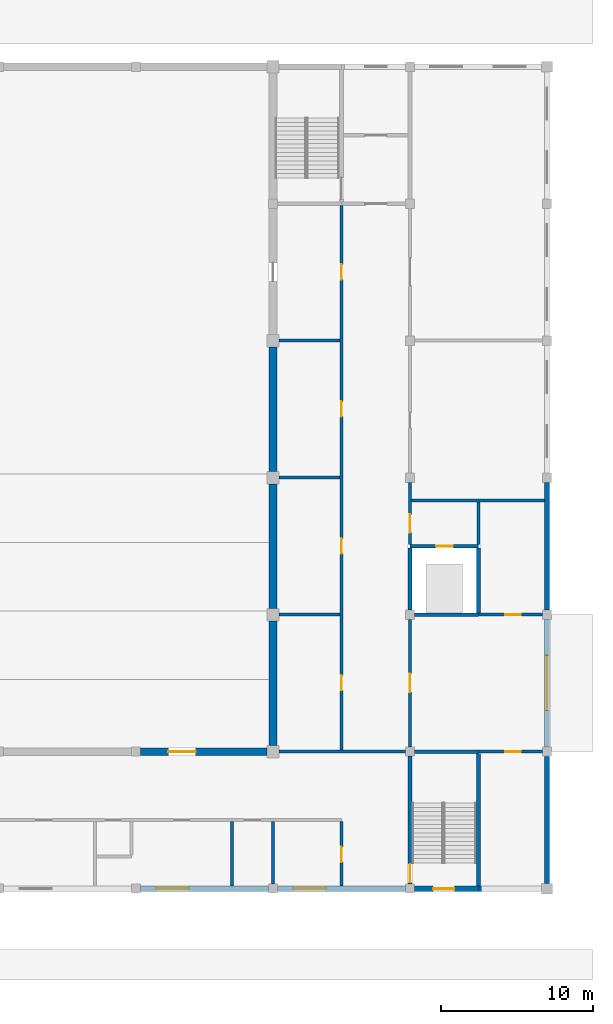
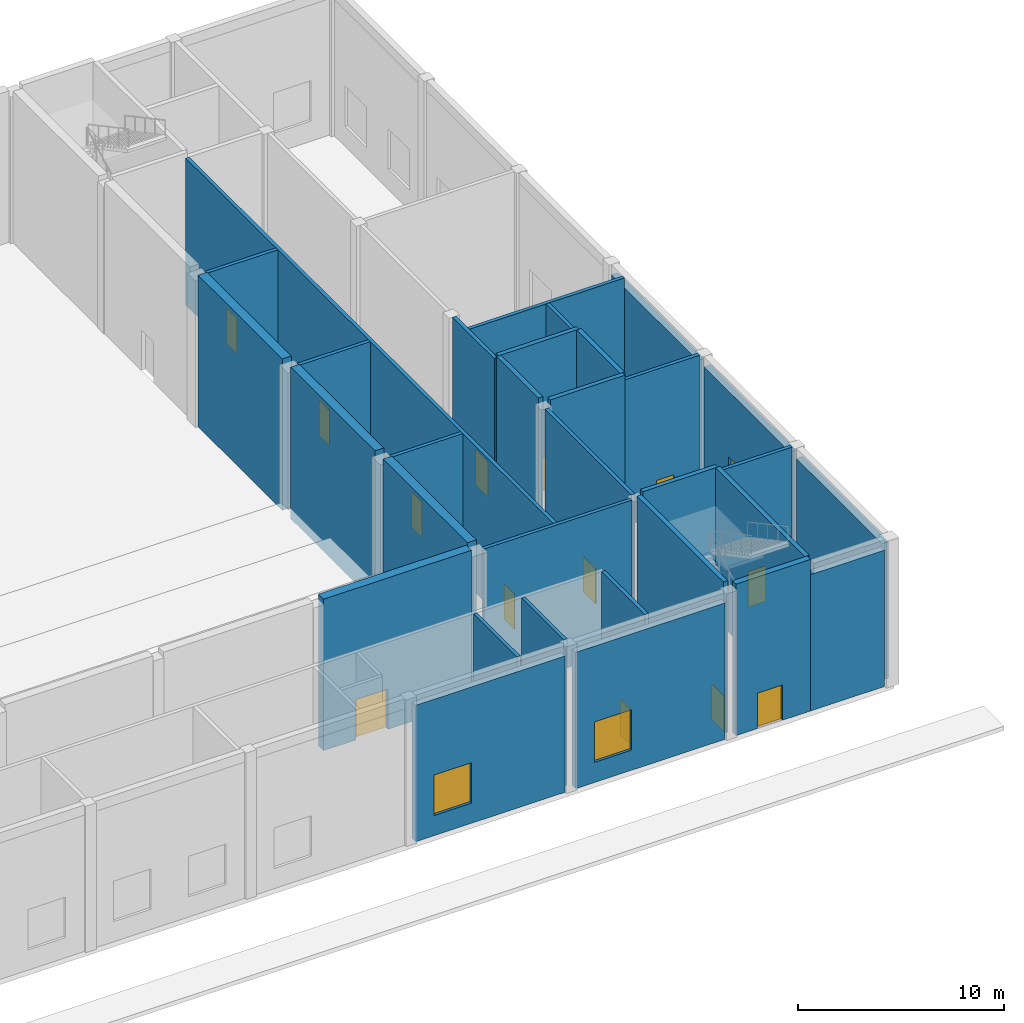
# One storey, part 33 of 44: 32 walls, 14 doors, 2 windows, 16 openings.
"""IFC4 building model written with IfcOpenShell, lengths in metres."""

from ifc_helpers import new_model, si_unit, direction, frame, frame_2d, origin, place, context, subcontext, project, spatial, rectangle, extrude, material, layer, layer_set, type_object, element, fill, save


model = new_model("IFC4")

# Units and contexts
model_context = context("Model", 3, precision=1e-05, world=origin(), true_north=direction((0.0, 1.0)))
body_context = subcontext(model_context, "Body", "Model", "MODEL_VIEW")
ifc_project = project(units=[si_unit("LENGTHUNIT", "METRE"), si_unit("AREAUNIT", "SQUARE_METRE"), si_unit("VOLUMEUNIT", "CUBIC_METRE"), si_unit("PLANEANGLEUNIT", "RADIAN"), si_unit("MASSUNIT", "GRAM", prefix="KILO")], contexts=[model_context])

# Site, building, storey
site_placement = place(None, origin())
site = spatial("IfcSite", under=ifc_project, at=site_placement, CompositionType="ELEMENT")
building_placement = place(site_placement, origin())
building = spatial("IfcBuilding", under=site, at=building_placement, Name="Firuza Court", CompositionType="ELEMENT")
storey_placement = place(building_placement, origin())
storey = spatial("IfcBuildingStorey", under=building, at=storey_placement, Name="L00", CompositionType="ELEMENT", Elevation=0.0)

# Wall
ifc_material_1 = material(Name="Blockwork", Category="masonry")
ifc_layer_1 = layer(ifc_material_1, 0.199951171875)
ifc_layer_set_1 = layer_set([ifc_layer_1], Name="Blockwork")
wall_type_1 = type_object("IfcWallType", Name="HALL PARTITION 200", PredefinedType="STANDARD", material=ifc_layer_set_1)
wall_1_placement = place(storey_placement, frame((135.39990234375, 0.0, 0.0), z_axis=(0.0, 0.0, 1.0), x_axis=(1.0, 0.0, 0.0)))
element("IfcWall", 1, at=wall_1_placement, inside=storey, type_object=wall_type_1, Name="Wall L00.18", PredefinedType="STANDARD", context=body_context, shape_type="SweptSolid", body=[
    extrude(rectangle(XDim=8.300048828125, YDim=0.199951171875, at=frame_2d((4.14990234375, 0.0))), origin(), (0.0, 0.0, 1.0), 8.699951171875),
])

# Wall, opening, door
wall_2_placement = place(storey_placement, frame((148.5, 0.0, 0.0), z_axis=(0.0, 0.0, 1.0), x_axis=(1.0, 0.0, 0.0)))
wall_2 = element("IfcWall", 2, at=wall_2_placement, inside=storey, type_object=wall_type_1, Name="Wall L00.20", PredefinedType="STANDARD", context=body_context, shape_type="SweptSolid", body=[
    extrude(rectangle(XDim=4.199951171875, YDim=0.199951171875, at=frame_2d((2.10009765625, 0.0))), origin(), (0.0, 0.0, 1.0), 8.699951171875),
])
opening_1_placement = place(wall_2_placement, frame((1.77001953125, 0.0, 0.0)))
opening_1 = element("IfcOpeningElement", 3, at=opening_1_placement, cuts=wall_2, Name="Opening H052", PredefinedType="OPENING", context=body_context, shape_type="SweptSolid", body=[
    extrude(rectangle(XDim=1.0, YDim=2.10009765625, at=frame_2d((0.5, 1.050048828125))), frame((0.0, 0.11181640625, 0.0), z_axis=(0.0, -1.0, 0.0), x_axis=(1.0, 0.0, 0.0)), (0.0, 0.0, 1.0), 0.223876953125),
])
ifc_material_2 = material(Name="Timber", Category="wood")
door_type_1 = type_object("IfcDoorType", Name="HALL DOOR 1000X2100", OperationType="SINGLE_SWING_LEFT", PredefinedType="DOOR", material=ifc_material_2)
door_1_placement = place(opening_1_placement, frame((1.0, 0.0, 0.0), z_axis=(0.0, 0.0, 1.0), x_axis=(-1.0, 0.0, 0.0)))
door_1 = element("IfcDoor", 4, at=door_1_placement, inside=storey, type_object=door_type_1, Name="Door Refuse store", OperationType="SINGLE_SWING_LEFT", OverallHeight=2.10009765625, OverallWidth=1.0, PredefinedType="DOOR", context=body_context, shape_type="SweptSolid", body=[
    extrude(rectangle(XDim=1.0, YDim=2.10009765625, at=frame_2d((0.5, 1.050048828125))), frame((0.0, 0.02490234375, 0.0), z_axis=(0.0, -1.0, 0.0), x_axis=(1.0, 0.0, 0.0)), (0.0, 0.0, 1.0), 0.050048828125),
])
fill(opening_1, door_1)

# Wall
wall_3_placement = place(storey_placement, frame((135.39990234375, 9.0, 0.0), z_axis=(0.0, 0.0, 1.0), x_axis=(1.0, 0.0, 0.0)))
element("IfcWall", 5, at=wall_3_placement, inside=storey, type_object=wall_type_1, Name="Wall L00.21", PredefinedType="STANDARD", context=body_context, shape_type="SweptSolid", body=[
    extrude(rectangle(XDim=4.0, YDim=0.199951171875, at=frame_2d((2.0, 0.0))), origin(), (0.0, 0.0, 1.0), 8.699951171875),
])

# Wall, opening, door
wall_4_placement = place(storey_placement, frame((148.5, 9.0, 0.0), z_axis=(0.0, 0.0, 1.0), x_axis=(1.0, 0.0, 0.0)))
wall_4 = element("IfcWall", 6, at=wall_4_placement, inside=storey, type_object=wall_type_1, Name="Wall L00.23", PredefinedType="STANDARD", context=body_context, shape_type="SweptSolid", body=[
    extrude(rectangle(XDim=4.199951171875, YDim=0.199951171875, at=frame_2d((2.10009765625, 0.0))), origin(), (0.0, 0.0, 1.0), 8.699951171875),
])
opening_2_placement = place(wall_4_placement, frame((1.77001953125, 0.0, 0.0)))
opening_2 = element("IfcOpeningElement", 7, at=opening_2_placement, cuts=wall_4, Name="Opening H053", PredefinedType="OPENING", context=body_context, shape_type="SweptSolid", body=[
    extrude(rectangle(XDim=1.0, YDim=2.10009765625, at=frame_2d((0.5, 1.050048828125))), frame((0.0, 0.11181640625, 0.0), z_axis=(0.0, -1.0, 0.0), x_axis=(1.0, 0.0, 0.0)), (0.0, 0.0, 1.0), 0.223876953125),
])
door_2_placement = place(opening_2_placement, origin())
door_2 = element("IfcDoor", 8, at=door_2_placement, inside=storey, type_object=door_type_1, Name="Door Scenery store", OperationType="SINGLE_SWING_RIGHT", OverallHeight=2.10009765625, OverallWidth=1.0, PredefinedType="DOOR", context=body_context, shape_type="SweptSolid", body=[
    extrude(rectangle(XDim=1.0, YDim=2.10009765625, at=frame_2d((0.5, 1.050048828125))), frame((0.0, 0.02490234375, 0.0), z_axis=(0.0, -1.0, 0.0), x_axis=(1.0, 0.0, 0.0)), (0.0, 0.0, 1.0), 0.050048828125),
])
fill(opening_2, door_2)

# Walls
wall_5_placement = place(storey_placement, frame((144.10009765625, 16.5, 0.0), z_axis=(0.0, 0.0, 1.0), x_axis=(1.0, 0.0, 0.0)))
element("IfcWall", 9, at=wall_5_placement, inside=storey, type_object=wall_type_1, Name="Wall L00.25", PredefinedType="STANDARD", context=body_context, shape_type="SweptSolid", body=[
    extrude(rectangle(XDim=8.724853515625, YDim=0.199951171875, at=frame_2d((4.3623046875, 0.0))), origin(), (0.0, 0.0, 1.0), 8.699951171875),
])
for number, where, z_axis, x_axis, name in (
    (10, (135.39990234375, 18.0, 0.0), (0.0, 0.0, 1.0), (1.0, 0.0, 0.0), "Wall L00.27"),
    (11, (135.39990234375, 27.0, 0.0), (0.0, 0.0, 1.0), (1.0, 0.0, 0.0), "Wall L00.35"),
):
    element("IfcWall", number, at=place(storey_placement, frame(where, z_axis=z_axis, x_axis=x_axis)), inside=storey, type_object=wall_type_1, Name=name, PredefinedType="STANDARD", context=body_context, shape_type="SweptSolid", body=[
        extrude(rectangle(XDim=4.0, YDim=0.199951171875, at=frame_2d((2.0, 0.0))), origin(), (0.0, 0.0, 1.0), 8.699951171875),
    ])
wall_6_placement = place(storey_placement, frame((132.300048828125, -8.824951171875, 0.0), z_axis=(0.0, 0.0, 1.0), x_axis=(0.0, 1.0, 0.0)))
element("IfcWall", 12, at=wall_6_placement, inside=storey, type_object=wall_type_1, Name="Wall L00.67", PredefinedType="STANDARD", context=body_context, shape_type="SweptSolid", body=[
    extrude(rectangle(XDim=4.224853515625, YDim=0.199951171875, at=frame_2d((2.1123046875, 0.0))), origin(), (0.0, 0.0, 1.0), 8.699951171875),
])
wall_7_placement = place(storey_placement, frame((135.0, -8.699951171875, 0.0), z_axis=(0.0, 0.0, 1.0), x_axis=(0.0, 1.0, 0.0)))
element("IfcWall", 13, at=wall_7_placement, inside=storey, type_object=wall_type_1, Name="Wall L00.68", PredefinedType="STANDARD", context=body_context, shape_type="SweptSolid", body=[
    extrude(rectangle(XDim=4.099853515625, YDim=0.199951171875, at=frame_2d((2.0498046875, 0.0))), origin(), (0.0, 0.0, 1.0), 8.699951171875),
])

# Wall, opening, door
wall_8_placement = place(storey_placement, frame((139.5, -8.824951171875, 0.0), z_axis=(0.0, 0.0, 1.0), x_axis=(0.0, 1.0, 0.0)))
wall_8 = element("IfcWall", 14, at=wall_8_placement, inside=storey, type_object=wall_type_1, Name="Wall L00.74", PredefinedType="STANDARD", context=body_context, shape_type="SweptSolid", body=[
    extrude(rectangle(XDim=4.224853515625, YDim=0.199951171875, at=frame_2d((2.1123046875, 0.0))), origin(), (0.0, 0.0, 1.0), 8.699951171875),
])
opening_3_placement = place(wall_8_placement, frame((1.570068359375, 0.0, 0.0)))
opening_3 = element("IfcOpeningElement", 15, at=opening_3_placement, cuts=wall_8, Name="Opening H040", PredefinedType="OPENING", context=body_context, shape_type="SweptSolid", body=[
    extrude(rectangle(XDim=1.0, YDim=2.10009765625, at=frame_2d((0.5, 1.050048828125))), frame((0.0, 0.11181640625, 0.0), z_axis=(0.0, -1.0, 0.0), x_axis=(1.0, 0.0, 0.0)), (0.0, 0.0, 1.0), 0.223876953125),
])
door_3_placement = place(opening_3_placement, frame((1.0, 0.0, 0.0), z_axis=(0.0, 0.0, 1.0), x_axis=(-1.0, 0.0, 0.0)))
door_3 = element("IfcDoor", 16, at=door_3_placement, inside=storey, type_object=door_type_1, Name="Door Stage door lobby", OperationType="SINGLE_SWING_RIGHT", OverallHeight=2.10009765625, OverallWidth=1.0, PredefinedType="DOOR", context=body_context, shape_type="SweptSolid", body=[
    extrude(rectangle(XDim=1.0, YDim=2.10009765625, at=frame_2d((0.5, 1.050048828125))), frame((0.0, 0.02490234375, 0.0), z_axis=(0.0, -1.0, 0.0), x_axis=(1.0, 0.0, 0.0)), (0.0, 0.0, 1.0), 0.050048828125),
])
fill(opening_3, door_3)

# Wall, openings, doors
wall_9_placement = place(storey_placement, frame((139.5, 0.10009765625, 0.0), z_axis=(0.0, 0.0, 1.0), x_axis=(0.0, 1.0, 0.0)))
wall_9 = element("IfcWall", 17, at=wall_9_placement, inside=storey, type_object=wall_type_1, Name="Wall L00.75", PredefinedType="STANDARD", context=body_context, shape_type="SweptSolid", body=[
    extrude(rectangle(XDim=35.77490234375, YDim=0.199951171875, at=frame_2d((17.887451171875, 0.0))), origin(), (0.0, 0.0, 1.0), 8.699951171875),
])
opening_4_placement = place(wall_9_placement, frame((30.919921875, 0.0, 0.0)))
opening_4 = element("IfcOpeningElement", 18, at=opening_4_placement, cuts=wall_9, Name="Opening H048", PredefinedType="OPENING", context=body_context, shape_type="SweptSolid", body=[
    extrude(rectangle(XDim=1.0, YDim=2.10009765625, at=frame_2d((0.5, 1.050048828125))), frame((0.0, 0.11181640625, 0.0), z_axis=(0.0, -1.0, 0.0), x_axis=(1.0, 0.0, 0.0)), (0.0, 0.0, 1.0), 0.223876953125),
])
opening_5_placement = place(wall_9_placement, frame((3.919921875, 0.0, 0.0)))
opening_5 = element("IfcOpeningElement", 19, at=opening_5_placement, cuts=wall_9, Name="Opening H049", PredefinedType="OPENING", context=body_context, shape_type="SweptSolid", body=[
    extrude(rectangle(XDim=1.0, YDim=2.10009765625, at=frame_2d((0.5, 1.050048828125))), frame((0.0, 0.11181640625, 0.0), z_axis=(0.0, -1.0, 0.0), x_axis=(1.0, 0.0, 0.0)), (0.0, 0.0, 1.0), 0.223876953125),
])
opening_6_placement = place(wall_9_placement, frame((12.919921875, 0.0, 0.0)))
opening_6 = element("IfcOpeningElement", 20, at=opening_6_placement, cuts=wall_9, Name="Opening H050", PredefinedType="OPENING", context=body_context, shape_type="SweptSolid", body=[
    extrude(rectangle(XDim=1.0, YDim=2.10009765625, at=frame_2d((0.5, 1.050048828125))), frame((0.0, 0.11181640625, 0.0), z_axis=(0.0, -1.0, 0.0), x_axis=(1.0, 0.0, 0.0)), (0.0, 0.0, 1.0), 0.223876953125),
])
opening_7_placement = place(wall_9_placement, frame((21.919921875, 0.0, 0.0)))
opening_7 = element("IfcOpeningElement", 21, at=opening_7_placement, cuts=wall_9, Name="Opening H051", PredefinedType="OPENING", context=body_context, shape_type="SweptSolid", body=[
    extrude(rectangle(XDim=1.0, YDim=2.10009765625, at=frame_2d((0.5, 1.050048828125))), frame((0.0, 0.11181640625, 0.0), z_axis=(0.0, -1.0, 0.0), x_axis=(1.0, 0.0, 0.0)), (0.0, 0.0, 1.0), 0.223876953125),
])
door_4_placement = place(opening_4_placement, origin())
door_4 = element("IfcDoor", 22, at=door_4_placement, inside=storey, type_object=door_type_1, Name="Door Stage right wing", OperationType="SINGLE_SWING_LEFT", OverallHeight=2.10009765625, OverallWidth=1.0, PredefinedType="DOOR", context=body_context, shape_type="SweptSolid", body=[
    extrude(rectangle(XDim=1.0, YDim=2.10009765625, at=frame_2d((0.5, 1.050048828125))), frame((0.0, 0.02490234375, 0.0), z_axis=(0.0, -1.0, 0.0), x_axis=(1.0, 0.0, 0.0)), (0.0, 0.0, 1.0), 0.050048828125),
])
fill(opening_4, door_4)
door_5_placement = place(opening_5_placement, origin())
door_5 = element("IfcDoor", 23, at=door_5_placement, inside=storey, type_object=door_type_1, Name="Door Dock office", OperationType="SINGLE_SWING_LEFT", OverallHeight=2.10009765625, OverallWidth=1.0, PredefinedType="DOOR", context=body_context, shape_type="SweptSolid", body=[
    extrude(rectangle(XDim=1.0, YDim=2.10009765625, at=frame_2d((0.5, 1.050048828125))), frame((0.0, 0.02490234375, 0.0), z_axis=(0.0, -1.0, 0.0), x_axis=(1.0, 0.0, 0.0)), (0.0, 0.0, 1.0), 0.050048828125),
])
fill(opening_5, door_5)
door_6_placement = place(opening_6_placement, origin())
door_6 = element("IfcDoor", 24, at=door_6_placement, inside=storey, type_object=door_type_1, Name="Door Instrument store", OperationType="SINGLE_SWING_LEFT", OverallHeight=2.10009765625, OverallWidth=1.0, PredefinedType="DOOR", context=body_context, shape_type="SweptSolid", body=[
    extrude(rectangle(XDim=1.0, YDim=2.10009765625, at=frame_2d((0.5, 1.050048828125))), frame((0.0, 0.02490234375, 0.0), z_axis=(0.0, -1.0, 0.0), x_axis=(1.0, 0.0, 0.0)), (0.0, 0.0, 1.0), 0.050048828125),
])
fill(opening_6, door_6)
door_7_placement = place(opening_7_placement, origin())
door_7 = element("IfcDoor", 25, at=door_7_placement, inside=storey, type_object=door_type_1, Name="Door Piano store", OperationType="SINGLE_SWING_LEFT", OverallHeight=2.10009765625, OverallWidth=1.0, PredefinedType="DOOR", context=body_context, shape_type="SweptSolid", body=[
    extrude(rectangle(XDim=1.0, YDim=2.10009765625, at=frame_2d((0.5, 1.050048828125))), frame((0.0, 0.02490234375, 0.0), z_axis=(0.0, -1.0, 0.0), x_axis=(1.0, 0.0, 0.0)), (0.0, 0.0, 1.0), 0.050048828125),
])
fill(opening_7, door_7)

# Wall, opening, door
wall_10_placement = place(storey_placement, frame((144.0, 0.300048828125, 0.0), z_axis=(0.0, 0.0, 1.0), x_axis=(0.0, 1.0, 0.0)))
wall_10 = element("IfcWall", 26, at=wall_10_placement, inside=storey, type_object=wall_type_1, Name="Wall L00.78", PredefinedType="STANDARD", context=body_context, shape_type="SweptSolid", body=[
    extrude(rectangle(XDim=8.39990234375, YDim=0.199951171875, at=frame_2d((4.199951171875, 0.0))), origin(), (0.0, 0.0, 1.0), 8.699951171875),
])
opening_8_placement = place(wall_10_placement, frame((3.6201171875, 0.0, 0.0)))
opening_8 = element("IfcOpeningElement", 27, at=opening_8_placement, cuts=wall_10, Name="Opening H021", PredefinedType="OPENING", context=body_context, shape_type="SweptSolid", body=[
    extrude(rectangle(XDim=1.199951171875, YDim=2.10009765625, at=frame_2d((0.60009765625, 1.050048828125))), frame((0.0, 0.11181640625, 0.0), z_axis=(0.0, -1.0, 0.0), x_axis=(1.0, 0.0, 0.0)), (0.0, 0.0, 1.0), 0.223876953125),
])
ifc_material_3 = material(Name="Timber", Category="wood")
door_type_2 = type_object("IfcDoorType", Name="HALL DOOR 1200X2100", OperationType="SINGLE_SWING_LEFT", PredefinedType="DOOR", material=ifc_material_3)
door_8_placement = place(opening_8_placement, frame((1.199951171875, 0.0, 0.0), z_axis=(0.0, 0.0, 1.0), x_axis=(-1.0, 0.0, 0.0)))
door_8 = element("IfcDoor", 28, at=door_8_placement, inside=storey, type_object=door_type_2, Name="Door Loading dock to Backstage corridor", OperationType="SINGLE_SWING_RIGHT", OverallHeight=2.10009765625, OverallWidth=1.199951171875, PredefinedType="DOOR", context=body_context, shape_type="SweptSolid", body=[
    extrude(rectangle(XDim=1.199951171875, YDim=2.10009765625, at=frame_2d((0.60009765625, 1.050048828125))), frame((0.0, 0.02490234375, 0.0), z_axis=(0.0, -1.0, 0.0), x_axis=(1.0, 0.0, 0.0)), (0.0, 0.0, 1.0), 0.050048828125),
])
fill(opening_8, door_8)

wall_11_placement = place(storey_placement, frame((144.0, 13.625, 0.0), z_axis=(0.0, 0.0, 1.0), x_axis=(0.0, 1.0, 0.0)))
wall_11 = element("IfcWall", 29, at=wall_11_placement, inside=storey, type_object=wall_type_1, Name="Wall L00.80", PredefinedType="STANDARD", context=body_context, shape_type="SweptSolid", body=[
    extrude(rectangle(XDim=4.074951171875, YDim=0.199951171875, at=frame_2d((2.03759765625, 0.0))), origin(), (0.0, 0.0, 1.0), 8.699951171875),
])
opening_9_placement = place(wall_11_placement, frame((0.77001953125, 0.0, 0.0)))
opening_9 = element("IfcOpeningElement", 30, at=opening_9_placement, cuts=wall_11, Name="Opening H034", PredefinedType="OPENING", context=body_context, shape_type="SweptSolid", body=[
    extrude(rectangle(XDim=1.199951171875, YDim=2.10009765625, at=frame_2d((0.60009765625, 1.050048828125))), frame((0.0, 0.11181640625, 0.0), z_axis=(0.0, -1.0, 0.0), x_axis=(1.0, 0.0, 0.0)), (0.0, 0.0, 1.0), 0.223876953125),
])
door_9_placement = place(opening_9_placement, frame((1.199951171875, 0.0, 0.0), z_axis=(0.0, 0.0, 1.0), x_axis=(-1.0, 0.0, 0.0)))
door_9 = element("IfcDoor", 31, at=door_9_placement, inside=storey, type_object=door_type_2, Name="Door Goods lobby to Backstage corridor", OperationType="SINGLE_SWING_RIGHT", OverallHeight=2.10009765625, OverallWidth=1.199951171875, PredefinedType="DOOR", context=body_context, shape_type="SweptSolid", body=[
    extrude(rectangle(XDim=1.199951171875, YDim=2.10009765625, at=frame_2d((0.60009765625, 1.050048828125))), frame((0.0, 0.02490234375, 0.0), z_axis=(0.0, -1.0, 0.0), x_axis=(1.0, 0.0, 0.0)), (0.0, 0.0, 1.0), 0.050048828125),
])
fill(opening_9, door_9)

# Walls
wall_12_placement = place(storey_placement, frame((148.5, 13.625, 0.0), z_axis=(0.0, 0.0, 1.0), x_axis=(0.0, 1.0, 0.0)))
element("IfcWall", 32, at=wall_12_placement, inside=storey, type_object=wall_type_1, Name="Wall L00.86", PredefinedType="STANDARD", context=body_context, shape_type="SweptSolid", body=[
    extrude(rectangle(XDim=2.77490234375, YDim=0.199951171875, at=frame_2d((1.387451171875, 0.0))), origin(), (0.0, 0.0, 1.0), 8.699951171875),
])
ifc_material_4 = material(Name="Concrete C40/50", Category="concrete")
ifc_layer_2 = layer(ifc_material_4, 0.25)
ifc_layer_set_2 = layer_set([ifc_layer_2], Name="Concrete C40/50")
wall_type_2 = type_object("IfcWallType", Name="HALL RC WALL 250", PredefinedType="STANDARD", material=ifc_layer_set_2)
for number, where, z_axis, x_axis, name in (
    (33, (144.300048828125, 0.0, 0.0), (0.0, 0.0, 1.0), (1.0, 0.0, 0.0), "Wall L00.19"),
    (34, (144.300048828125, 9.0, 0.0), (0.0, 0.0, 1.0), (1.0, 0.0, 0.0), "Wall L00.22"),
):
    element("IfcWall", number, at=place(storey_placement, frame(where, z_axis=z_axis, x_axis=x_axis)), inside=storey, type_object=wall_type_2, Name=name, PredefinedType="STANDARD", context=body_context, shape_type="SweptSolid", body=[
        extrude(rectangle(XDim=4.199951171875, YDim=0.25, at=frame_2d((2.10009765625, 0.0))), origin(), (0.0, 0.0, 1.0), 9.0),
    ])

# Wall, opening, door
wall_13_placement = place(storey_placement, frame((144.0, 13.5, 0.0), z_axis=(0.0, 0.0, 1.0), x_axis=(1.0, 0.0, 0.0)))
wall_13 = element("IfcWall", 35, at=wall_13_placement, inside=storey, type_object=wall_type_2, Name="Wall L00.24", PredefinedType="STANDARD", context=body_context, shape_type="SweptSolid", body=[
    extrude(rectangle(XDim=4.5, YDim=0.25, at=frame_2d((2.25, 0.0))), origin(), (0.0, 0.0, 1.0), 9.0),
])
opening_10_placement = place(wall_13_placement, frame((1.719970703125, 0.0, 0.0)))
opening_10 = element("IfcOpeningElement", 36, at=opening_10_placement, cuts=wall_13, Name="Opening LD", PredefinedType="OPENING", context=body_context, shape_type="SweptSolid", body=[
    extrude(rectangle(XDim=1.10009765625, YDim=2.10009765625, at=frame_2d((0.550048828125, 1.050048828125))), frame((0.0, 0.136962890625, 0.0), z_axis=(0.0, -1.0, 0.0), x_axis=(1.0, 0.0, 0.0)), (0.0, 0.0, 1.0), 0.27392578125),
])
ifc_material_5 = material(Name="Stainless steel", Category="steel")
door_type_3 = type_object("IfcDoorType", Name="HALL LANDING DOOR 1100X2100", OperationType="SLIDING_TO_LEFT", PredefinedType="DOOR", material=ifc_material_5)
door_10_placement = place(opening_10_placement, origin())
door_10 = element("IfcDoor", 37, at=door_10_placement, inside=storey, type_object=door_type_3, Name="Landing door GL1 L00", OperationType="SLIDING_TO_LEFT", OverallHeight=2.10009765625, OverallWidth=1.10009765625, PredefinedType="DOOR", context=body_context, shape_type="SweptSolid", body=[
    extrude(rectangle(XDim=1.10009765625, YDim=2.10009765625, at=frame_2d((0.550048828125, 1.050048828125))), frame((0.0, 0.02490234375, 0.0), z_axis=(0.0, -1.0, 0.0), x_axis=(1.0, 0.0, 0.0)), (0.0, 0.0, 1.0), 0.050048828125),
])
fill(opening_10, door_10)

wall_14_placement = place(storey_placement, frame((144.0, -8.699951171875, 0.0), z_axis=(0.0, 0.0, 1.0), x_axis=(0.0, 1.0, 0.0)))
wall_14 = element("IfcWall", 38, at=wall_14_placement, inside=storey, type_object=wall_type_2, Name="Wall L00.77", PredefinedType="STANDARD", context=body_context, shape_type="SweptSolid", body=[
    extrude(rectangle(XDim=8.39990234375, YDim=0.25, at=frame_2d((4.199951171875, 0.0))), origin(), (0.0, 0.0, 1.0), 9.0),
])
opening_11_placement = place(wall_14_placement, frame((0.1201171875, 0.0, 0.0)))
opening_11 = element("IfcOpeningElement", 39, at=opening_11_placement, cuts=wall_14, Name="Opening H036", PredefinedType="OPENING", context=body_context, shape_type="SweptSolid", body=[
    extrude(rectangle(XDim=1.199951171875, YDim=2.10009765625, at=frame_2d((0.60009765625, 1.050048828125))), frame((0.0, 0.136962890625, 0.0), z_axis=(0.0, -1.0, 0.0), x_axis=(1.0, 0.0, 0.0)), (0.0, 0.0, 1.0), 0.27392578125),
])
door_11_placement = place(opening_11_placement, origin())
door_11 = element("IfcDoor", 40, at=door_11_placement, inside=storey, type_object=door_type_2, Name="Stair H2 door", OperationType="SINGLE_SWING_LEFT", OverallHeight=2.10009765625, OverallWidth=1.199951171875, PredefinedType="DOOR", context=body_context, shape_type="SweptSolid", body=[
    extrude(rectangle(XDim=1.199951171875, YDim=2.10009765625, at=frame_2d((0.60009765625, 1.050048828125))), frame((0.0, 0.02490234375, 0.0), z_axis=(0.0, -1.0, 0.0), x_axis=(1.0, 0.0, 0.0)), (0.0, 0.0, 1.0), 0.050048828125),
])
fill(opening_11, door_11)

# Walls
wall_15_placement = place(storey_placement, frame((144.0, 9.300048828125, 0.0), z_axis=(0.0, 0.0, 1.0), x_axis=(0.0, 1.0, 0.0)))
element("IfcWall", 41, at=wall_15_placement, inside=storey, type_object=wall_type_2, Name="Wall L00.79", PredefinedType="STANDARD", context=body_context, shape_type="SweptSolid", body=[
    extrude(rectangle(XDim=4.074951171875, YDim=0.25, at=frame_2d((2.03759765625, 0.0))), origin(), (0.0, 0.0, 1.0), 9.0),
])
wall_16_placement = place(storey_placement, frame((148.5, -8.824951171875, 0.0), z_axis=(0.0, 0.0, 1.0), x_axis=(0.0, 1.0, 0.0)))
element("IfcWall", 42, at=wall_16_placement, inside=storey, type_object=wall_type_2, Name="Wall L00.84", PredefinedType="STANDARD", context=body_context, shape_type="SweptSolid", body=[
    extrude(rectangle(XDim=8.699951171875, YDim=0.25, at=frame_2d((4.35009765625, 0.0))), origin(), (0.0, 0.0, 1.0), 9.0),
])
wall_17_placement = place(storey_placement, frame((148.5, 9.125, 0.0), z_axis=(0.0, 0.0, 1.0), x_axis=(0.0, 1.0, 0.0)))
element("IfcWall", 43, at=wall_17_placement, inside=storey, type_object=wall_type_2, Name="Wall L00.85", PredefinedType="STANDARD", context=body_context, shape_type="SweptSolid", body=[
    extrude(rectangle(XDim=4.25, YDim=0.25, at=frame_2d((2.125, 0.0))), origin(), (0.0, 0.0, 1.0), 9.0),
])

# Wall, opening, door
ifc_layer_3 = layer(ifc_material_4, 0.5)
ifc_layer_set_3 = layer_set([ifc_layer_3], Name="Concrete C40/50")
wall_type_3 = type_object("IfcWallType", Name="HALL RC WALL 500", PredefinedType="STANDARD", material=ifc_layer_set_3)
wall_18_placement = place(storey_placement, frame((126.300048828125, 0.0, 0.0), z_axis=(0.0, 0.0, 1.0), x_axis=(1.0, 0.0, 0.0)))
wall_18 = element("IfcWall", 44, at=wall_18_placement, inside=storey, type_object=wall_type_3, Name="Wall L00.17", PredefinedType="STANDARD", context=body_context, shape_type="SweptSolid", body=[
    extrude(rectangle(XDim=8.300048828125, YDim=0.5, at=frame_2d((4.14990234375, 0.0))), origin(), (0.0, 0.0, 1.0), 9.0),
])
opening_12_placement = place(wall_18_placement, frame((1.820068359375, 0.0, 0.0)))
opening_12 = element("IfcOpeningElement", 45, at=opening_12_placement, cuts=wall_18, Name="Opening H019", PredefinedType="OPENING", context=body_context, shape_type="SweptSolid", body=[
    extrude(rectangle(XDim=1.800048828125, YDim=2.39990234375, at=frame_2d((0.89990234375, 1.199951171875))), frame((0.0, 0.261962890625, 0.0), z_axis=(0.0, -1.0, 0.0), x_axis=(1.0, 0.0, 0.0)), (0.0, 0.0, 1.0), 0.52392578125),
])
ifc_material_6 = material(Name="Timber", Category="wood")
door_type_4 = type_object("IfcDoorType", Name="HALL DOOR 1800X2400", OperationType="DOUBLE_DOOR_SINGLE_SWING", PredefinedType="DOOR", material=ifc_material_6)
door_12_placement = place(opening_12_placement, origin())
door_12 = element("IfcDoor", 46, at=door_12_placement, inside=storey, type_object=door_type_4, Name="Exit door stalls rear 2", OperationType="DOUBLE_DOOR_SINGLE_SWING", OverallHeight=2.39990234375, OverallWidth=1.800048828125, PredefinedType="DOOR", context=body_context, shape_type="SweptSolid", body=[
    extrude(rectangle(XDim=1.800048828125, YDim=2.39990234375, at=frame_2d((0.89990234375, 1.199951171875))), frame((0.0, 0.02490234375, 0.0), z_axis=(0.0, -1.0, 0.0), x_axis=(1.0, 0.0, 0.0)), (0.0, 0.0, 1.0), 0.050048828125),
])
fill(opening_12, door_12)

# Walls
for number, where, z_axis, x_axis, name in (
    (47, (135.0, 0.39990234375, 0.0), (0.0, 0.0, 1.0), (0.0, 1.0, 0.0), "Wall L00.69"),
    (48, (135.0, 9.39990234375, 0.0), (0.0, 0.0, 1.0), (0.0, 1.0, 0.0), "Wall L00.70"),
    (49, (135.0, 18.39990234375, 0.0), (0.0, 0.0, 1.0), (0.0, 1.0, 0.0), "Wall L00.71"),
):
    element("IfcWall", number, at=place(storey_placement, frame(where, z_axis=z_axis, x_axis=x_axis)), inside=storey, type_object=wall_type_3, Name=name, PredefinedType="STANDARD", context=body_context, shape_type="SweptSolid", body=[
        extrude(rectangle(XDim=8.2001953125, YDim=0.5, at=frame_2d((4.10009765625, 0.0))), origin(), (0.0, 0.0, 1.0), 9.0),
    ])

# Wall, opening, window
ifc_material_7 = material(Name="Concrete C30/37", Category="concrete")
ifc_layer_4 = layer(ifc_material_7, 0.300048828125)
ifc_material_8 = material(Name="Ceramic tile", Category="ceramic")
ifc_layer_5 = layer(ifc_material_8, 0.050048828125)
ifc_layer_set_4 = layer_set([ifc_layer_4, ifc_layer_5], Name="Concrete C30/37")
wall_type_4 = type_object("IfcWallType", Name="HALL TILE CLAD WALL 350", PredefinedType="STANDARD", material=ifc_layer_set_4)
wall_19_placement = place(storey_placement, frame((126.300048828125, -9.0, 0.0), z_axis=(0.0, 0.0, 1.0), x_axis=(1.0, 0.0, 0.0)))
wall_19 = element("IfcWall", 50, at=wall_19_placement, inside=storey, type_object=wall_type_4, Name="Wall L00.6", PredefinedType="STANDARD", context=body_context, shape_type="SweptSolid", body=[
    extrude(rectangle(XDim=8.39990234375, YDim=0.35009765625, at=frame_2d((4.199951171875, 0.0))), origin(), (0.0, 0.0, 1.0), 8.10009765625),
])
opening_13_placement = place(wall_19_placement, frame((1.050048828125, 0.0, 1.199951171875)))
opening_13 = element("IfcOpeningElement", 51, at=opening_13_placement, cuts=wall_19, Name="Opening HW-3", PredefinedType="OPENING", context=body_context, shape_type="SweptSolid", body=[
    extrude(rectangle(XDim=2.10009765625, YDim=2.39990234375, at=frame_2d((1.050048828125, 1.199951171875))), frame((0.0, 0.18701171875, 0.0), z_axis=(0.0, -1.0, 0.0), x_axis=(1.0, 0.0, 0.0)), (0.0, 0.0, 1.0), 0.3740234375),
])
ifc_material_9 = material(Name="Aluminium", Category="aluminium")
window_type = type_object("IfcWindowType", Name="HALL WINDOW 2100X2400", PartitioningType="SINGLE_PANEL", PredefinedType="WINDOW", material=ifc_material_9)
window_1_placement = place(opening_13_placement, origin())
window_1 = element("IfcWindow", 52, at=window_1_placement, inside=storey, type_object=window_type, Name="Window L00.7", OverallHeight=2.39990234375, OverallWidth=2.10009765625, PartitioningType="SINGLE_PANEL", PredefinedType="WINDOW", context=body_context, shape_type="SweptSolid", body=[
    extrude(rectangle(XDim=2.10009765625, YDim=2.39990234375, at=frame_2d((1.050048828125, 1.199951171875))), frame((0.0, 0.030029296875, 0.0), z_axis=(0.0, -1.0, 0.0), x_axis=(1.0, 0.0, 0.0)), (0.0, 0.0, 1.0), 0.06005859375),
])
fill(opening_13, window_1)

wall_20_placement = place(storey_placement, frame((135.300048828125, -9.0, 0.0), z_axis=(0.0, 0.0, 1.0), x_axis=(1.0, 0.0, 0.0)))
wall_20 = element("IfcWall", 53, at=wall_20_placement, inside=storey, type_object=wall_type_4, Name="Wall L00.7", PredefinedType="STANDARD", context=body_context, shape_type="SweptSolid", body=[
    extrude(rectangle(XDim=8.39990234375, YDim=0.35009765625, at=frame_2d((4.199951171875, 0.0))), origin(), (0.0, 0.0, 1.0), 8.10009765625),
])
opening_14_placement = place(wall_20_placement, frame((1.050048828125, 0.0, 1.199951171875)))
opening_14 = element("IfcOpeningElement", 54, at=opening_14_placement, cuts=wall_20, Name="Opening HW-3", PredefinedType="OPENING", context=body_context, shape_type="SweptSolid", body=[
    extrude(rectangle(XDim=2.10009765625, YDim=2.39990234375, at=frame_2d((1.050048828125, 1.199951171875))), frame((0.0, 0.18701171875, 0.0), z_axis=(0.0, -1.0, 0.0), x_axis=(1.0, 0.0, 0.0)), (0.0, 0.0, 1.0), 0.3740234375),
])
window_2_placement = place(opening_14_placement, origin())
window_2 = element("IfcWindow", 55, at=window_2_placement, inside=storey, type_object=window_type, Name="Window L00.8", OverallHeight=2.39990234375, OverallWidth=2.10009765625, PartitioningType="SINGLE_PANEL", PredefinedType="WINDOW", context=body_context, shape_type="SweptSolid", body=[
    extrude(rectangle(XDim=2.10009765625, YDim=2.39990234375, at=frame_2d((1.050048828125, 1.199951171875))), frame((0.0, 0.030029296875, 0.0), z_axis=(0.0, -1.0, 0.0), x_axis=(1.0, 0.0, 0.0)), (0.0, 0.0, 1.0), 0.06005859375),
])
fill(opening_14, window_2)

# Wall, opening, door
wall_21_placement = place(storey_placement, frame((144.300048828125, -9.0, 0.0), z_axis=(0.0, 0.0, 1.0), x_axis=(1.0, 0.0, 0.0)))
wall_21 = element("IfcWall", 56, at=wall_21_placement, inside=storey, type_object=wall_type_4, Name="Wall L00.8", PredefinedType="STANDARD", context=body_context, shape_type="SweptSolid", body=[
    extrude(rectangle(XDim=4.199951171875, YDim=0.35009765625, at=frame_2d((2.10009765625, 0.0))), origin(), (0.0, 0.0, 1.0), 9.0),
])
opening_15_placement = place(wall_21_placement, frame((1.219970703125, 0.0, 0.0)))
opening_15 = element("IfcOpeningElement", 57, at=opening_15_placement, cuts=wall_21, Name="Opening H030", PredefinedType="OPENING", context=body_context, shape_type="SweptSolid", body=[
    extrude(rectangle(XDim=1.39990234375, YDim=2.10009765625, at=frame_2d((0.699951171875, 1.050048828125))), frame((0.0, 0.18701171875, 0.0), z_axis=(0.0, -1.0, 0.0), x_axis=(1.0, 0.0, 0.0)), (0.0, 0.0, 1.0), 0.3740234375),
])
ifc_material_10 = material(Name="Timber", Category="wood")
door_type_5 = type_object("IfcDoorType", Name="HALL DOOR 1400X2100", OperationType="DOUBLE_DOOR_SINGLE_SWING", PredefinedType="DOOR", material=ifc_material_10)
door_13_placement = place(opening_15_placement, frame((1.39990234375, 0.0, 0.0), z_axis=(0.0, 0.0, 1.0), x_axis=(-1.0, 0.0, 0.0)))
door_13 = element("IfcDoor", 58, at=door_13_placement, inside=storey, type_object=door_type_5, Name="Exit door stair H2", OperationType="DOUBLE_DOOR_SINGLE_SWING", OverallHeight=2.10009765625, OverallWidth=1.39990234375, PredefinedType="DOOR", context=body_context, shape_type="SweptSolid", body=[
    extrude(rectangle(XDim=1.39990234375, YDim=2.10009765625, at=frame_2d((0.699951171875, 1.050048828125))), frame((0.0, 0.02490234375, 0.0), z_axis=(0.0, -1.0, 0.0), x_axis=(1.0, 0.0, 0.0)), (0.0, 0.0, 1.0), 0.050048828125),
])
fill(opening_15, door_13)

# Walls
wall_22_placement = place(storey_placement, frame((148.5, -9.0, 0.0), z_axis=(0.0, 0.0, 1.0), x_axis=(1.0, 0.0, 0.0)))
element("IfcWall", 59, at=wall_22_placement, inside=storey, type_object=wall_type_4, Name="Wall L00.9", PredefinedType="STANDARD", context=body_context, shape_type="SweptSolid", body=[
    extrude(rectangle(XDim=4.14990234375, YDim=0.35009765625, at=frame_2d((2.074951171875, 0.0))), origin(), (0.0, 0.0, 1.0), 8.10009765625),
])
wall_23_placement = place(storey_placement, frame((153.0, -8.64990234375, 0.0), z_axis=(0.0, 0.0, 1.0), x_axis=(0.0, 1.0, 0.0)))
element("IfcWall", 60, at=wall_23_placement, inside=storey, type_object=wall_type_4, Name="Wall L00.87", PredefinedType="STANDARD", context=body_context, shape_type="SweptSolid", body=[
    extrude(rectangle(XDim=8.349853515625, YDim=0.35009765625, at=frame_2d((4.1748046875, 0.0))), origin(), (0.0, 0.0, 1.0), 8.10009765625),
])

# Wall, opening, door
wall_24_placement = place(storey_placement, frame((153.0, 0.300048828125, 0.0), z_axis=(0.0, 0.0, 1.0), x_axis=(0.0, 1.0, 0.0)))
wall_24 = element("IfcWall", 61, at=wall_24_placement, inside=storey, type_object=wall_type_4, Name="Wall L00.88", PredefinedType="STANDARD", context=body_context, shape_type="SweptSolid", body=[
    extrude(rectangle(XDim=8.39990234375, YDim=0.35009765625, at=frame_2d((4.199951171875, 0.0))), origin(), (0.0, 0.0, 1.0), 8.10009765625),
])
opening_16_placement = place(wall_24_placement, frame((2.419921875, 0.0, 0.0)))
opening_16 = element("IfcOpeningElement", 62, at=opening_16_placement, cuts=wall_24, Name="Opening H033", PredefinedType="OPENING", context=body_context, shape_type="SweptSolid", body=[
    extrude(rectangle(XDim=3.60009765625, YDim=4.199951171875, at=frame_2d((1.800048828125, 2.10009765625))), frame((0.0, 0.18701171875, 0.0), z_axis=(0.0, -1.0, 0.0), x_axis=(1.0, 0.0, 0.0)), (0.0, 0.0, 1.0), 0.3740234375),
])
ifc_material_11 = material(Name="Galvanised steel roller shutter", Category="steel")
door_type_6 = type_object("IfcDoorType", Name="HALL ROLLER DOOR 3600X4200", OperationType="ROLLINGUP", PredefinedType="DOOR", material=ifc_material_11)
door_14_placement = place(opening_16_placement, frame((3.60009765625, 0.0, 0.0), z_axis=(0.0, 0.0, 1.0), x_axis=(-1.0, 0.0, 0.0)))
door_14 = element("IfcDoor", 63, at=door_14_placement, inside=storey, type_object=door_type_6, Name="Loading dock roller door", OperationType="ROLLINGUP", OverallHeight=4.199951171875, OverallWidth=3.60009765625, PredefinedType="DOOR", context=body_context, shape_type="SweptSolid", body=[
    extrude(rectangle(XDim=3.60009765625, YDim=4.199951171875, at=frame_2d((1.800048828125, 2.10009765625))), frame((0.0, 0.02490234375, 0.0), z_axis=(0.0, -1.0, 0.0), x_axis=(1.0, 0.0, 0.0)), (0.0, 0.0, 1.0), 0.050048828125),
])
fill(opening_16, door_14)

# Wall
wall_25_placement = place(storey_placement, frame((153.0, 9.300048828125, 0.0), z_axis=(0.0, 0.0, 1.0), x_axis=(0.0, 1.0, 0.0)))
element("IfcWall", 64, at=wall_25_placement, inside=storey, type_object=wall_type_4, Name="Wall L00.89", PredefinedType="STANDARD", context=body_context, shape_type="SweptSolid", body=[
    extrude(rectangle(XDim=8.39990234375, YDim=0.35009765625, at=frame_2d((4.199951171875, 0.0))), origin(), (0.0, 0.0, 1.0), 8.10009765625),
])

save(model, "model.ifc")
